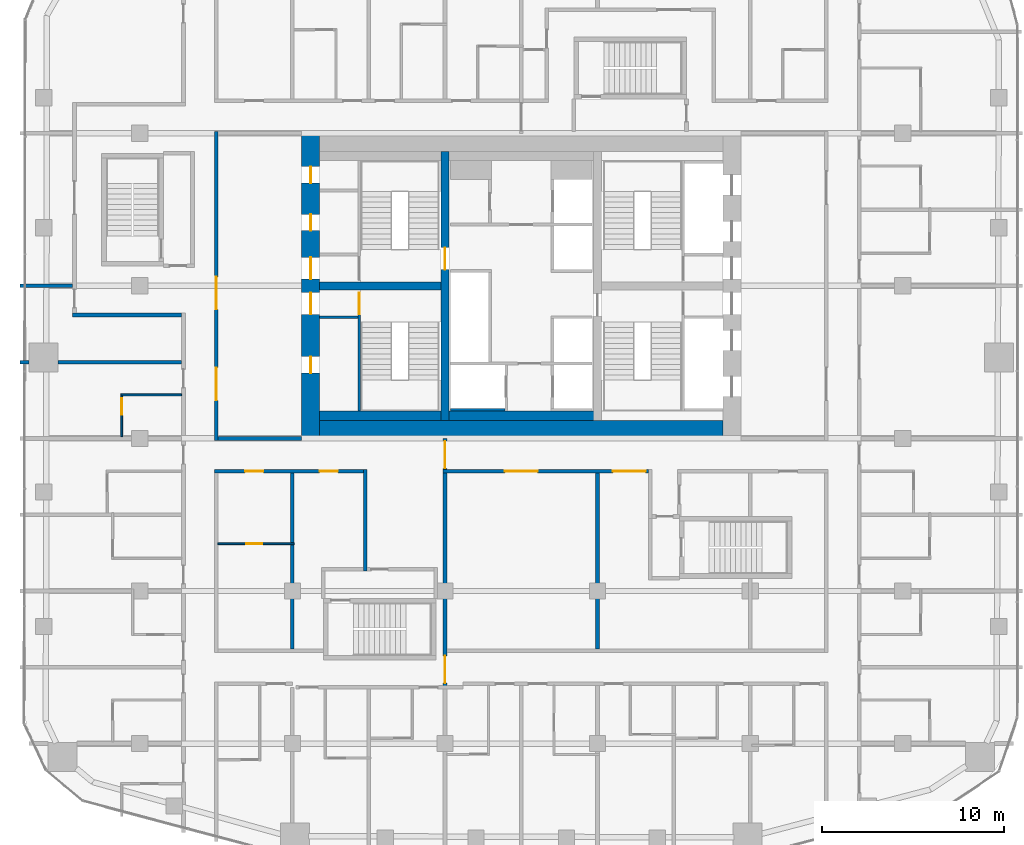
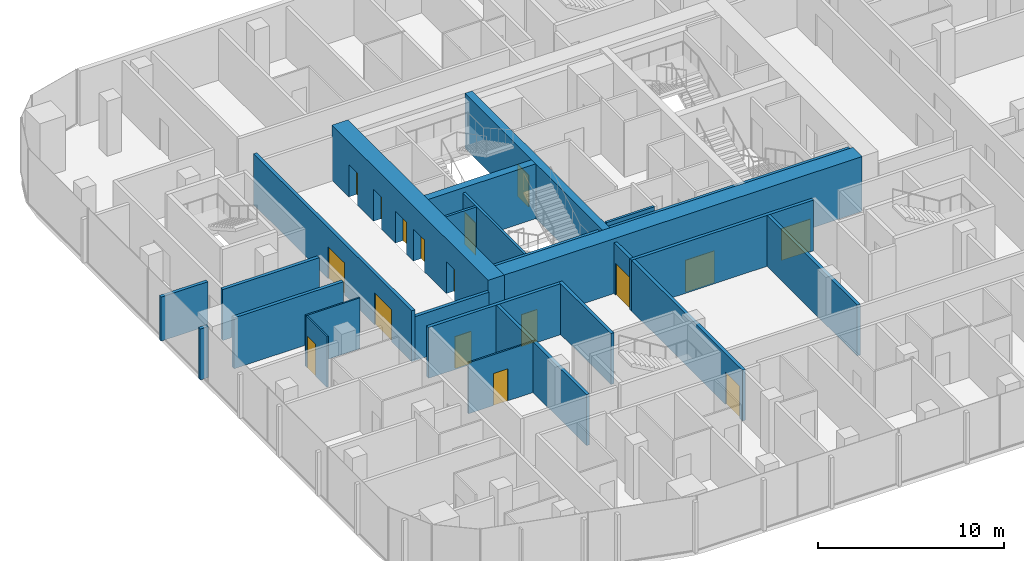
# One storey, part 15 of 23: 23 walls, 17 doors, 17 openings.
"""IFC4 building model written with IfcOpenShell, lengths in metres."""

from ifc_helpers import new_model, si_unit, direction, frame, frame_2d, origin, place, context, subcontext, project, spatial, rectangle, extrude, material, layer, layer_set, type_object, element, fill, save


model = new_model("IFC4")

# Units and contexts
model_context = context("Model", 3, precision=1e-05, world=origin(), true_north=direction((0.0, 1.0)))
body_context = subcontext(model_context, "Body", "Model", "MODEL_VIEW")
ifc_project = project(units=[si_unit("LENGTHUNIT", "METRE"), si_unit("AREAUNIT", "SQUARE_METRE"), si_unit("VOLUMEUNIT", "CUBIC_METRE"), si_unit("PLANEANGLEUNIT", "RADIAN"), si_unit("MASSUNIT", "GRAM", prefix="KILO")], contexts=[model_context])

# Site, building, storey
site_placement = place(None, origin())
site = spatial("IfcSite", under=ifc_project, at=site_placement, CompositionType="ELEMENT")
building_placement = place(site_placement, origin())
building = spatial("IfcBuilding", under=site, at=building_placement, Name="Marenta Gate Hotel Tower", CompositionType="ELEMENT")
storey_placement = place(building_placement, frame((0.0, 0.0, 104.89990234375)))
storey = spatial("IfcBuildingStorey", under=building, at=storey_placement, Name="L22", CompositionType="ELEMENT", Elevation=104.89990234375)

# Wall, openings, doors
ifc_material_1 = material(Name="Concrete blockwork", Category="masonry")
ifc_layer_1 = layer(ifc_material_1, 0.199951171875)
ifc_layer_set_1 = layer_set([ifc_layer_1], Name="Concrete blockwork")
wall_type_1 = type_object("IfcWallType", Name="Compartment wall 200 REI 180", PredefinedType="PARTITIONING", material=ifc_layer_set_1)
wall_1_placement = place(storey_placement, frame((-4.199951171875, -13.800048828125, 0.0), z_axis=(0.0, 0.0, 1.0), x_axis=(0.0, 1.0, 0.0)))
wall_1 = element("IfcWall", 1, at=wall_1_placement, inside=storey, type_object=wall_type_1, Name="L22-PTN-W080", PredefinedType="PARTITIONING", context=body_context, shape_type="SweptSolid", body=[
    extrude(rectangle(XDim=13.800048828125, YDim=0.199951171875, at=frame_2d((6.89990234375, 0.0))), origin(), (0.0, 0.0, 1.0), 3.340087890625),
])
opening_1_placement = place(wall_1_placement, frame((12.14990234375, 0.0, 0.0)))
opening_1 = element("IfcOpeningElement", 2, at=opening_1_placement, cuts=wall_1, Name="Opening G08-FD2", PredefinedType="OPENING", context=body_context, shape_type="SweptSolid", body=[
    extrude(rectangle(XDim=1.5, YDim=2.10009765625, at=frame_2d((0.75, 1.050048828125))), frame((0.0, 0.10009765625, 0.0), z_axis=(0.0, -1.0, 0.0), x_axis=(1.0, 0.0, 0.0)), (0.0, 0.0, 1.0), 0.199951171875),
])
opening_2_placement = place(wall_1_placement, frame((0.324951171875, 0.0, 0.0)))
opening_2 = element("IfcOpeningElement", 3, at=opening_2_placement, cuts=wall_1, Name="Opening G08-FD3", PredefinedType="OPENING", context=body_context, shape_type="SweptSolid", body=[
    extrude(rectangle(XDim=1.5, YDim=2.10009765625, at=frame_2d((0.75, 1.050048828125))), frame((0.0, 0.10009765625, 0.0), z_axis=(0.0, -1.0, 0.0), x_axis=(1.0, 0.0, 0.0)), (0.0, 0.0, 1.0), 0.199951171875),
])
ifc_material_2 = material(Name="Hollow steel door set", Category="steel")
door_type_1 = type_object("IfcDoorType", Name="Compartment fire door 1500x2100 EI 60", OperationType="DOUBLE_DOOR_DOUBLE_SWING", PredefinedType="DOOR", material=ifc_material_2)
door_1_placement = place(opening_1_placement, origin())
door_1 = element("IfcDoor", 4, at=door_1_placement, inside=storey, type_object=door_type_1, Name="L22-PD-FD02", OperationType="DOUBLE_DOOR_DOUBLE_SWING", OverallHeight=2.10009765625, OverallWidth=1.5, PredefinedType="DOOR", context=body_context, shape_type="SweptSolid", body=[
    extrude(rectangle(XDim=1.5, YDim=2.10009765625, at=frame_2d((0.75, 1.050048828125))), frame((0.0, 0.02490234375, 0.0), z_axis=(0.0, -1.0, 0.0), x_axis=(1.0, 0.0, 0.0)), (0.0, 0.0, 1.0), 0.050048828125),
])
fill(opening_1, door_1)
door_2_placement = place(opening_2_placement, origin())
door_2 = element("IfcDoor", 5, at=door_2_placement, inside=storey, type_object=door_type_1, Name="L22-PD-FD03", OperationType="DOUBLE_DOOR_DOUBLE_SWING", OverallHeight=2.10009765625, OverallWidth=1.5, PredefinedType="DOOR", context=body_context, shape_type="SweptSolid", body=[
    extrude(rectangle(XDim=1.5, YDim=2.10009765625, at=frame_2d((0.75, 1.050048828125))), frame((0.0, 0.02490234375, 0.0), z_axis=(0.0, -1.0, 0.0), x_axis=(1.0, 0.0, 0.0)), (0.0, 0.0, 1.0), 0.050048828125),
])
fill(opening_2, door_2)

ifc_material_3 = material(Name="Concrete blockwork", Category="masonry")
ifc_layer_2 = layer(ifc_material_3, 0.199951171875)
ifc_layer_set_2 = layer_set([ifc_layer_2], Name="Concrete blockwork")
wall_type_2 = type_object("IfcWallType", Name="Core boundary wall 200 REI 180", PredefinedType="PARTITIONING", material=ifc_layer_set_2)
wall_2_placement = place(storey_placement, frame((-16.800048828125, -0.10009765625, 0.0), z_axis=(0.0, 0.0, 1.0), x_axis=(0.0, 1.0, 0.0)))
wall_2 = element("IfcWall", 6, at=wall_2_placement, inside=storey, type_object=wall_type_2, Name="L22-CP-BW-W", PredefinedType="PARTITIONING", context=body_context, shape_type="SweptSolid", body=[
    extrude(rectangle(XDim=17.0, YDim=0.199951171875, at=frame_2d((8.5, 0.0))), origin(), (0.0, 0.0, 1.0), 3.340087890625),
])
opening_3_placement = place(wall_2_placement, frame((2.199951171875, 0.0, 0.0)))
opening_3 = element("IfcOpeningElement", 7, at=opening_3_placement, cuts=wall_2, Name="Opening ED-Wa-B", PredefinedType="OPENING", context=body_context, shape_type="SweptSolid", body=[
    extrude(rectangle(XDim=1.800048828125, YDim=2.10009765625, at=frame_2d((0.89990234375, 1.050048828125))), frame((0.0, 0.10009765625, 0.0), z_axis=(0.0, -1.0, 0.0), x_axis=(1.0, 0.0, 0.0)), (0.0, 0.0, 1.0), 0.199951171875),
])
opening_4_placement = place(wall_2_placement, frame((7.199951171875, 0.0, 0.0)))
opening_4 = element("IfcOpeningElement", 8, at=opening_4_placement, cuts=wall_2, Name="Opening ED-Wb-B", PredefinedType="OPENING", context=body_context, shape_type="SweptSolid", body=[
    extrude(rectangle(XDim=1.800048828125, YDim=2.10009765625, at=frame_2d((0.89990234375, 1.050048828125))), frame((0.0, 0.10009765625, 0.0), z_axis=(0.0, -1.0, 0.0), x_axis=(1.0, 0.0, 0.0)), (0.0, 0.0, 1.0), 0.199951171875),
])
ifc_material_4 = material(Name="Steel", Category="steel")
door_type_2 = type_object("IfcDoorType", Name="Core lobby entrance door 1800x2100 EI 60", OperationType="DOUBLE_DOOR_SINGLE_SWING", PredefinedType="DOOR", material=ifc_material_4)
door_3_placement = place(opening_3_placement, origin())
door_3 = element("IfcDoor", 9, at=door_3_placement, inside=storey, type_object=door_type_2, Name="ED-Wa-B", OperationType="DOUBLE_DOOR_SINGLE_SWING", OverallHeight=2.10009765625, OverallWidth=1.800048828125, PredefinedType="DOOR", context=body_context, shape_type="SweptSolid", body=[
    extrude(rectangle(XDim=1.800048828125, YDim=2.10009765625, at=frame_2d((0.89990234375, 1.050048828125))), frame((0.0, 0.02490234375, 0.0), z_axis=(0.0, -1.0, 0.0), x_axis=(1.0, 0.0, 0.0)), (0.0, 0.0, 1.0), 0.050048828125),
])
fill(opening_3, door_3)
door_4_placement = place(opening_4_placement, origin())
door_4 = element("IfcDoor", 10, at=door_4_placement, inside=storey, type_object=door_type_2, Name="ED-Wb-B", OperationType="DOUBLE_DOOR_SINGLE_SWING", OverallHeight=2.10009765625, OverallWidth=1.800048828125, PredefinedType="DOOR", context=body_context, shape_type="SweptSolid", body=[
    extrude(rectangle(XDim=1.800048828125, YDim=2.10009765625, at=frame_2d((0.89990234375, 1.050048828125))), frame((0.0, 0.02490234375, 0.0), z_axis=(0.0, -1.0, 0.0), x_axis=(1.0, 0.0, 0.0)), (0.0, 0.0, 1.0), 0.050048828125),
])
fill(opening_4, door_4)

# Walls
wall_3_placement = place(storey_placement, frame((-16.699951171875, 0.0, 0.0), z_axis=(0.0, 0.0, 1.0), x_axis=(1.0, 0.0, 0.0)))
element("IfcWall", 11, at=wall_3_placement, inside=storey, type_object=wall_type_2, Name="L22-CP-EW-WS", PredefinedType="PARTITIONING", context=body_context, shape_type="SweptSolid", body=[
    extrude(rectangle(XDim=4.599853515625, YDim=0.199951171875, at=frame_2d((2.2998046875, 0.0))), origin(), (0.0, 0.0, 1.0), 2.89013671875),
])
ifc_material_5 = material(Name="Concrete C40", Category="concrete")
ifc_layer_3 = layer(ifc_material_5, 0.5)
ifc_layer_set_3 = layer_set([ifc_layer_3], Name="Concrete C40")
wall_type_3 = type_object("IfcWallType", Name="Core lining wall 500 REI 180", PredefinedType="PARTITIONING", material=ifc_layer_set_3)
wall_4_placement = place(storey_placement, frame((-11.10009765625, 1.25, 0.0), z_axis=(0.0, 0.0, 1.0), x_axis=(1.0, 0.0, 0.0)))
element("IfcWall", 12, at=wall_4_placement, inside=storey, type_object=wall_type_3, Name="L22-CP-LN-S", PredefinedType="PARTITIONING", context=body_context, shape_type="SweptSolid", body=[
    extrude(rectangle(XDim=22.2001953125, YDim=0.5, at=frame_2d((11.10009765625, 0.0))), origin(), (0.0, 0.0, 1.0), 3.340087890625),
])
ifc_material_6 = material(Name="Concrete blockwork", Category="masonry")
ifc_layer_4 = layer(ifc_material_6, 0.14990234375)
ifc_layer_set_4 = layer_set([ifc_layer_4], Name="Concrete blockwork")
wall_type_4 = type_object("IfcWallType", Name="Core room partition 150 REI 180", PredefinedType="PARTITIONING", material=ifc_layer_set_4)
wall_5_placement = place(storey_placement, frame((-11.10009765625, 6.675048828125, 0.0), z_axis=(0.0, 0.0, 1.0), x_axis=(1.0, 0.0, 0.0)))
element("IfcWall", 13, at=wall_5_placement, inside=storey, type_object=wall_type_4, Name="L22-CP-SW-WS-2", PredefinedType="PARTITIONING", context=body_context, shape_type="SweptSolid", body=[
    extrude(rectangle(XDim=2.10009765625, YDim=0.14990234375, at=frame_2d((1.050048828125, 0.0))), origin(), (0.0, 0.0, 1.0), 3.340087890625),
])
ifc_material_7 = material(Name="Concrete C40", Category="concrete")
ifc_layer_5 = layer(ifc_material_7, 0.14990234375)
ifc_layer_set_5 = layer_set([ifc_layer_5], Name="Concrete C40")
wall_type_5 = type_object("IfcWallType", Name="Core shaft wall 150 REI 180", PredefinedType="SHEAR", material=ifc_layer_set_5)
wall_6_placement = place(storey_placement, frame((-3.89990234375, 1.574951171875, 0.0), z_axis=(0.0, 0.0, 1.0), x_axis=(1.0, 0.0, 0.0)))
element("IfcWall", 14, at=wall_6_placement, inside=storey, type_object=wall_type_5, Name="L22-SHF-CW-W-ffs", PredefinedType="SHEAR", context=body_context, shape_type="SweptSolid", body=[
    extrude(rectangle(XDim=3.0, YDim=0.14990234375, at=frame_2d((1.5, 0.0))), origin(), (0.0, 0.0, 1.0), 3.60009765625),
])

# Wall, opening, door
ifc_material_8 = material(Name="Concrete C40", Category="concrete")
ifc_layer_6 = layer(ifc_material_8, 0.14990234375)
ifc_layer_set_6 = layer_set([ifc_layer_6], Name="Concrete C40")
wall_type_6 = type_object("IfcWallType", Name="Core stair enclosure wall 150 REI 180", PredefinedType="SHEAR", material=ifc_layer_set_6)
wall_7_placement = place(storey_placement, frame((-8.925048828125, 1.5, 0.0), z_axis=(0.0, 0.0, 1.0), x_axis=(0.0, 1.0, 0.0)))
wall_7 = element("IfcWall", 15, at=wall_7_placement, inside=storey, type_object=wall_type_6, Name="L22-SHF-SW-WS-3", PredefinedType="SHEAR", context=body_context, shape_type="SweptSolid", body=[
    extrude(rectangle(XDim=6.60009765625, YDim=0.14990234375, at=frame_2d((3.300048828125, 0.0))), origin(), (0.0, 0.0, 1.0), 3.340087890625),
])
opening_5_placement = place(wall_7_placement, frame((5.324951171875, 0.0, 0.0)))
opening_5 = element("IfcOpeningElement", 16, at=opening_5_placement, cuts=wall_7, Name="Opening SD-WS", PredefinedType="OPENING", context=body_context, shape_type="SweptSolid", body=[
    extrude(rectangle(XDim=1.199951171875, YDim=2.10009765625, at=frame_2d((0.60009765625, 1.050048828125))), frame((0.0, 0.074951171875, 0.0), z_axis=(0.0, -1.0, 0.0), x_axis=(1.0, 0.0, 0.0)), (0.0, 0.0, 1.0), 0.14990234375),
])
ifc_material_9 = material(Name="Steel", Category="steel")
door_type_3 = type_object("IfcDoorType", Name="Core stair door 1200x2100 FD60", OperationType="SINGLE_SWING_LEFT", PredefinedType="DOOR", material=ifc_material_9)
door_5_placement = place(opening_5_placement, origin())
door_5 = element("IfcDoor", 17, at=door_5_placement, inside=storey, type_object=door_type_3, Name="SD-WS", OperationType="SINGLE_SWING_LEFT", OverallHeight=2.10009765625, OverallWidth=1.199951171875, PredefinedType="DOOR", context=body_context, shape_type="SweptSolid", body=[
    extrude(rectangle(XDim=1.199951171875, YDim=2.10009765625, at=frame_2d((0.60009765625, 1.050048828125))), frame((0.0, 0.02490234375, 0.0), z_axis=(0.0, -1.0, 0.0), x_axis=(1.0, 0.0, 0.0)), (0.0, 0.0, 1.0), 0.050048828125),
])
fill(opening_5, door_5)

# Wall, openings, doors
ifc_material_10 = material(Name="Concrete C70", Category="concrete")
ifc_layer_7 = layer(ifc_material_10, 1.0)
ifc_layer_set_7 = layer_set([ifc_layer_7], Name="Concrete C70")
wall_type_7 = type_object("IfcWallType", Name="Core wall 1000 C70", PredefinedType="SHEAR", material=ifc_layer_set_7)
wall_8_placement = place(storey_placement, frame((-11.60009765625, 0.0, 0.0), z_axis=(0.0, 0.0, 1.0), x_axis=(0.0, 1.0, 0.0)))
wall_8 = element("IfcWall", 18, at=wall_8_placement, inside=storey, type_object=wall_type_7, Name="L22-CORE-W", PredefinedType="SHEAR", context=body_context, shape_type="SweptSolid", body=[
    extrude(rectangle(XDim=16.800048828125, YDim=1.0, at=frame_2d((8.39990234375, 0.0))), origin(), (0.0, 0.0, 1.0), 3.60009765625),
])
opening_6_placement = place(wall_8_placement, frame((3.60009765625, 0.0, 0.0)))
opening_6 = element("IfcOpeningElement", 19, at=opening_6_placement, cuts=wall_8, Name="Opening RD-WS-1", PredefinedType="OPENING", context=body_context, shape_type="SweptSolid", body=[
    extrude(rectangle(XDim=0.89990234375, YDim=2.10009765625, at=frame_2d((0.449951171875, 1.050048828125))), frame((0.0, 0.5, 0.0), z_axis=(0.0, -1.0, 0.0), x_axis=(1.0, 0.0, 0.0)), (0.0, 0.0, 1.0), 1.0),
])
opening_7_placement = place(wall_8_placement, frame((6.824951171875, 0.0, 0.0)))
opening_7 = element("IfcOpeningElement", 20, at=opening_7_placement, cuts=wall_8, Name="Opening PD-WS", PredefinedType="OPENING", context=body_context, shape_type="SweptSolid", body=[
    extrude(rectangle(XDim=1.199951171875, YDim=2.10009765625, at=frame_2d((0.60009765625, 1.050048828125))), frame((0.0, 0.5, 0.0), z_axis=(0.0, -1.0, 0.0), x_axis=(1.0, 0.0, 0.0)), (0.0, 0.0, 1.0), 1.0),
])
opening_8_placement = place(wall_8_placement, frame((14.0625, 0.0, 0.0)))
opening_8 = element("IfcOpeningElement", 21, at=opening_8_placement, cuts=wall_8, Name="Opening RD-WN-1", PredefinedType="OPENING", context=body_context, shape_type="SweptSolid", body=[
    extrude(rectangle(XDim=0.89990234375, YDim=2.10009765625, at=frame_2d((0.449951171875, 1.050048828125))), frame((0.0, 0.5, 0.0), z_axis=(0.0, -1.0, 0.0), x_axis=(1.0, 0.0, 0.0)), (0.0, 0.0, 1.0), 1.0),
])
opening_9_placement = place(wall_8_placement, frame((11.4375, 0.0, 0.0)))
opening_9 = element("IfcOpeningElement", 22, at=opening_9_placement, cuts=wall_8, Name="Opening RD-WN-2", PredefinedType="OPENING", context=body_context, shape_type="SweptSolid", body=[
    extrude(rectangle(XDim=0.89990234375, YDim=2.10009765625, at=frame_2d((0.449951171875, 1.050048828125))), frame((0.0, 0.5, 0.0), z_axis=(0.0, -1.0, 0.0), x_axis=(1.0, 0.0, 0.0)), (0.0, 0.0, 1.0), 1.0),
])
opening_10_placement = place(wall_8_placement, frame((8.77490234375, 0.0, 0.0)))
opening_10 = element("IfcOpeningElement", 23, at=opening_10_placement, cuts=wall_8, Name="Opening PD-WN", PredefinedType="OPENING", context=body_context, shape_type="SweptSolid", body=[
    extrude(rectangle(XDim=1.199951171875, YDim=2.10009765625, at=frame_2d((0.60009765625, 1.050048828125))), frame((0.0, 0.5, 0.0), z_axis=(0.0, -1.0, 0.0), x_axis=(1.0, 0.0, 0.0)), (0.0, 0.0, 1.0), 1.0),
])
ifc_material_11 = material(Name="Steel", Category="steel")
door_type_4 = type_object("IfcDoorType", Name="Core lobby door 1200x2100 FD60", OperationType="SINGLE_SWING_LEFT", PredefinedType="DOOR", material=ifc_material_11)
door_6_placement = place(opening_7_placement, origin())
door_6 = element("IfcDoor", 24, at=door_6_placement, inside=storey, type_object=door_type_4, Name="PD-WS", OperationType="SINGLE_SWING_LEFT", OverallHeight=2.10009765625, OverallWidth=1.199951171875, PredefinedType="DOOR", context=body_context, shape_type="SweptSolid", body=[
    extrude(rectangle(XDim=1.199951171875, YDim=2.10009765625, at=frame_2d((0.60009765625, 1.050048828125))), frame((0.0, 0.02490234375, 0.0), z_axis=(0.0, -1.0, 0.0), x_axis=(1.0, 0.0, 0.0)), (0.0, 0.0, 1.0), 0.050048828125),
])
fill(opening_7, door_6)
door_7_placement = place(opening_10_placement, origin())
door_7 = element("IfcDoor", 25, at=door_7_placement, inside=storey, type_object=door_type_4, Name="PD-WN", OperationType="SINGLE_SWING_LEFT", OverallHeight=2.10009765625, OverallWidth=1.199951171875, PredefinedType="DOOR", context=body_context, shape_type="SweptSolid", body=[
    extrude(rectangle(XDim=1.199951171875, YDim=2.10009765625, at=frame_2d((0.60009765625, 1.050048828125))), frame((0.0, 0.02490234375, 0.0), z_axis=(0.0, -1.0, 0.0), x_axis=(1.0, 0.0, 0.0)), (0.0, 0.0, 1.0), 0.050048828125),
])
fill(opening_10, door_7)
ifc_material_12 = material(Name="Steel", Category="steel")
door_type_5 = type_object("IfcDoorType", Name="Core service room door 900x2100 FD30S", OperationType="SINGLE_SWING_LEFT", PredefinedType="DOOR", material=ifc_material_12)
door_8_placement = place(opening_6_placement, origin())
door_8 = element("IfcDoor", 26, at=door_8_placement, inside=storey, type_object=door_type_5, Name="RD-WS-1", OperationType="SINGLE_SWING_LEFT", OverallHeight=2.10009765625, OverallWidth=0.89990234375, PredefinedType="DOOR", context=body_context, shape_type="SweptSolid", body=[
    extrude(rectangle(XDim=0.89990234375, YDim=2.10009765625, at=frame_2d((0.449951171875, 1.050048828125))), frame((0.0, 0.02490234375, 0.0), z_axis=(0.0, -1.0, 0.0), x_axis=(1.0, 0.0, 0.0)), (0.0, 0.0, 1.0), 0.050048828125),
])
fill(opening_6, door_8)
door_9_placement = place(opening_8_placement, origin())
door_9 = element("IfcDoor", 27, at=door_9_placement, inside=storey, type_object=door_type_5, Name="RD-WN-1", OperationType="SINGLE_SWING_LEFT", OverallHeight=2.10009765625, OverallWidth=0.89990234375, PredefinedType="DOOR", context=body_context, shape_type="SweptSolid", body=[
    extrude(rectangle(XDim=0.89990234375, YDim=2.10009765625, at=frame_2d((0.449951171875, 1.050048828125))), frame((0.0, 0.02490234375, 0.0), z_axis=(0.0, -1.0, 0.0), x_axis=(1.0, 0.0, 0.0)), (0.0, 0.0, 1.0), 0.050048828125),
])
fill(opening_8, door_9)
door_10_placement = place(opening_9_placement, origin())
door_10 = element("IfcDoor", 28, at=door_10_placement, inside=storey, type_object=door_type_5, Name="RD-WN-2", OperationType="SINGLE_SWING_LEFT", OverallHeight=2.10009765625, OverallWidth=0.89990234375, PredefinedType="DOOR", context=body_context, shape_type="SweptSolid", body=[
    extrude(rectangle(XDim=0.89990234375, YDim=2.10009765625, at=frame_2d((0.449951171875, 1.050048828125))), frame((0.0, 0.02490234375, 0.0), z_axis=(0.0, -1.0, 0.0), x_axis=(1.0, 0.0, 0.0)), (0.0, 0.0, 1.0), 0.050048828125),
])
fill(opening_9, door_10)

# Wall
wall_9_placement = place(storey_placement, frame((-11.10009765625, 0.5, 0.0), z_axis=(0.0, 0.0, 1.0), x_axis=(1.0, 0.0, 0.0)))
element("IfcWall", 29, at=wall_9_placement, inside=storey, type_object=wall_type_7, Name="L22-CORE-S", PredefinedType="SHEAR", context=body_context, shape_type="SweptSolid", body=[
    extrude(rectangle(XDim=22.2001953125, YDim=1.0, at=frame_2d((11.10009765625, 0.0))), origin(), (0.0, 0.0, 1.0), 3.60009765625),
])

# Wall, opening, door
ifc_material_13 = material(Name="Concrete C70", Category="concrete")
ifc_layer_8 = layer(ifc_material_13, 0.449951171875)
ifc_layer_set_8 = layer_set([ifc_layer_8], Name="Concrete C70")
wall_type_8 = type_object("IfcWallType", Name="Core web 450 C70", PredefinedType="SHEAR", material=ifc_layer_set_8)
wall_10_placement = place(storey_placement, frame((-4.199951171875, 1.0, 0.0), z_axis=(0.0, 0.0, 1.0), x_axis=(0.0, 1.0, 0.0)))
wall_10 = element("IfcWall", 30, at=wall_10_placement, inside=storey, type_object=wall_type_8, Name="L22-CORE-W1", PredefinedType="SHEAR", context=body_context, shape_type="SweptSolid", body=[
    extrude(rectangle(XDim=14.800048828125, YDim=0.449951171875, at=frame_2d((7.39990234375, 0.0))), origin(), (0.0, 0.0, 1.0), 3.60009765625),
])
opening_11_placement = place(wall_10_placement, frame((8.300048828125, 0.0, 0.0)))
opening_11 = element("IfcOpeningElement", 31, at=opening_11_placement, cuts=wall_10, Name="Opening WD-W", PredefinedType="OPENING", context=body_context, shape_type="SweptSolid", body=[
    extrude(rectangle(XDim=1.199951171875, YDim=2.10009765625, at=frame_2d((0.60009765625, 1.050048828125))), frame((0.0, 0.22509765625, 0.0), z_axis=(0.0, -1.0, 0.0), x_axis=(1.0, 0.0, 0.0)), (0.0, 0.0, 1.0), 0.449951171875),
])
door_11_placement = place(opening_11_placement, origin())
door_11 = element("IfcDoor", 32, at=door_11_placement, inside=storey, type_object=door_type_3, Name="WD-W", OperationType="SINGLE_SWING_LEFT", OverallHeight=2.10009765625, OverallWidth=1.199951171875, PredefinedType="DOOR", context=body_context, shape_type="SweptSolid", body=[
    extrude(rectangle(XDim=1.199951171875, YDim=2.10009765625, at=frame_2d((0.60009765625, 1.050048828125))), frame((0.0, 0.02490234375, 0.0), z_axis=(0.0, -1.0, 0.0), x_axis=(1.0, 0.0, 0.0)), (0.0, 0.0, 1.0), 0.050048828125),
])
fill(opening_11, door_11)

# Wall
wall_11_placement = place(storey_placement, frame((-11.10009765625, 8.39990234375, 0.0), z_axis=(0.0, 0.0, 1.0), x_axis=(1.0, 0.0, 0.0)))
element("IfcWall", 33, at=wall_11_placement, inside=storey, type_object=wall_type_8, Name="L22-CORE-W3", PredefinedType="SHEAR", context=body_context, shape_type="SweptSolid", body=[
    extrude(rectangle(XDim=6.675048828125, YDim=0.449951171875, at=frame_2d((3.33740234375, 0.0))), origin(), (0.0, 0.0, 1.0), 3.60009765625),
])

# Wall, openings, doors
ifc_material_14 = material(Name="Concrete blockwork", Category="masonry")
ifc_layer_9 = layer(ifc_material_14, 0.199951171875)
ifc_layer_set_9 = layer_set([ifc_layer_9], Name="Concrete blockwork")
wall_type_9 = type_object("IfcWallType", Name="Room corridor wall 200 EI 120", PredefinedType="PARTITIONING", material=ifc_layer_set_9)
wall_12_placement = place(storey_placement, frame((-16.89990234375, -1.800048828125, 0.0), z_axis=(0.0, 0.0, 1.0), x_axis=(1.0, 0.0, 0.0)))
wall_12 = element("IfcWall", 34, at=wall_12_placement, inside=storey, type_object=wall_type_9, Name="L22-PTN-W067", PredefinedType="PARTITIONING", context=body_context, shape_type="SweptSolid", body=[
    extrude(rectangle(XDim=8.199951171875, YDim=0.199951171875, at=frame_2d((4.10009765625, 0.0))), origin(), (0.0, 0.0, 1.0), 3.340087890625),
])
opening_12_placement = place(wall_12_placement, frame((1.699951171875, 0.0, 0.0)))
opening_12 = element("IfcOpeningElement", 35, at=opening_12_placement, cuts=wall_12, Name="Opening G08-01", PredefinedType="OPENING", context=body_context, shape_type="SweptSolid", body=[
    extrude(rectangle(XDim=1.0, YDim=2.10009765625, at=frame_2d((0.5, 1.050048828125))), frame((0.0, 0.10009765625, 0.0), z_axis=(0.0, -1.0, 0.0), x_axis=(1.0, 0.0, 0.0)), (0.0, 0.0, 1.0), 0.199951171875),
])
opening_13_placement = place(wall_12_placement, frame((5.800048828125, 0.0, 0.0)))
opening_13 = element("IfcOpeningElement", 36, at=opening_13_placement, cuts=wall_12, Name="Opening G08-03", PredefinedType="OPENING", context=body_context, shape_type="SweptSolid", body=[
    extrude(rectangle(XDim=1.0, YDim=2.10009765625, at=frame_2d((0.5, 1.050048828125))), frame((0.0, 0.10009765625, 0.0), z_axis=(0.0, -1.0, 0.0), x_axis=(1.0, 0.0, 0.0)), (0.0, 0.0, 1.0), 0.199951171875),
])
ifc_material_15 = material(Name="Hollow steel door set", Category="steel")
door_type_6 = type_object("IfcDoorType", Name="Room service door 1000x2100 EI 60", OperationType="NOTDEFINED", PredefinedType="DOOR", material=ifc_material_15)
door_12_placement = place(opening_12_placement, origin())
door_12 = element("IfcDoor", 37, at=door_12_placement, inside=storey, type_object=door_type_6, Name="L22-PD-D001", OperationType="SINGLE_SWING_LEFT", OverallHeight=2.10009765625, OverallWidth=1.0, PredefinedType="DOOR", context=body_context, shape_type="SweptSolid", body=[
    extrude(rectangle(XDim=1.0, YDim=2.10009765625, at=frame_2d((0.5, 1.050048828125))), frame((0.0, 0.02490234375, 0.0), z_axis=(0.0, -1.0, 0.0), x_axis=(1.0, 0.0, 0.0)), (0.0, 0.0, 1.0), 0.050048828125),
])
fill(opening_12, door_12)
door_13_placement = place(opening_13_placement, origin())
door_13 = element("IfcDoor", 38, at=door_13_placement, inside=storey, type_object=door_type_6, Name="L22-PD-D003", OperationType="SINGLE_SWING_LEFT", OverallHeight=2.10009765625, OverallWidth=1.0, PredefinedType="DOOR", context=body_context, shape_type="SweptSolid", body=[
    extrude(rectangle(XDim=1.0, YDim=2.10009765625, at=frame_2d((0.5, 1.050048828125))), frame((0.0, 0.02490234375, 0.0), z_axis=(0.0, -1.0, 0.0), x_axis=(1.0, 0.0, 0.0)), (0.0, 0.0, 1.0), 0.050048828125),
])
fill(opening_13, door_13)

# Wall
wall_13_placement = place(storey_placement, frame((-8.60009765625, -7.300048828125, 0.0), z_axis=(0.0, 0.0, 1.0), x_axis=(0.0, 1.0, 0.0)))
element("IfcWall", 39, at=wall_13_placement, inside=storey, type_object=wall_type_9, Name="L22-PTN-W090", PredefinedType="PARTITIONING", context=body_context, shape_type="SweptSolid", body=[
    extrude(rectangle(XDim=5.60009765625, YDim=0.199951171875, at=frame_2d((2.800048828125, 0.0))), origin(), (0.0, 0.0, 1.0), 3.340087890625),
])

# Wall, openings, doors
ifc_material_16 = material(Name="Gypsum board on steel stud", Category="steel")
ifc_layer_10 = layer(ifc_material_16, 0.199951171875)
ifc_layer_set_10 = layer_set([ifc_layer_10], Name="Gypsum board on steel stud")
wall_type_10 = type_object("IfcWallType", Name="Room corridor wall 200 EI 60", PredefinedType="PARTITIONING", material=ifc_layer_set_10)
wall_14_placement = place(storey_placement, frame((-4.300048828125, -1.800048828125, 0.0), z_axis=(0.0, 0.0, 1.0), x_axis=(1.0, 0.0, 0.0)))
wall_14 = element("IfcWall", 40, at=wall_14_placement, inside=storey, type_object=wall_type_10, Name="L22-PTN-W068", PredefinedType="PARTITIONING", context=body_context, shape_type="SweptSolid", body=[
    extrude(rectangle(XDim=11.300048828125, YDim=0.199951171875, at=frame_2d((5.64990234375, 0.0))), origin(), (0.0, 0.0, 1.0), 3.340087890625),
])
opening_14_placement = place(wall_14_placement, frame((3.39990234375, 0.0, 0.0)))
opening_14 = element("IfcOpeningElement", 41, at=opening_14_placement, cuts=wall_14, Name="Opening G08-04", PredefinedType="OPENING", context=body_context, shape_type="SweptSolid", body=[
    extrude(rectangle(XDim=1.800048828125, YDim=2.10009765625, at=frame_2d((0.89990234375, 1.050048828125))), frame((0.0, 0.10009765625, 0.0), z_axis=(0.0, -1.0, 0.0), x_axis=(1.0, 0.0, 0.0)), (0.0, 0.0, 1.0), 0.199951171875),
])
opening_15_placement = place(wall_14_placement, frame((9.35009765625, 0.0, 0.0)))
opening_15 = element("IfcOpeningElement", 42, at=opening_15_placement, cuts=wall_14, Name="Opening G08-05", PredefinedType="OPENING", context=body_context, shape_type="SweptSolid", body=[
    extrude(rectangle(XDim=1.800048828125, YDim=2.10009765625, at=frame_2d((0.89990234375, 1.050048828125))), frame((0.0, 0.10009765625, 0.0), z_axis=(0.0, -1.0, 0.0), x_axis=(1.0, 0.0, 0.0)), (0.0, 0.0, 1.0), 0.199951171875),
])
ifc_material_17 = material(Name="Timber door leaf", Category="wood")
door_type_7 = type_object("IfcDoorType", Name="Room amenity door 1800x2100 EI 30", OperationType="DOUBLE_DOOR_SINGLE_SWING", PredefinedType="DOOR", material=ifc_material_17)
door_14_placement = place(opening_14_placement, origin())
door_14 = element("IfcDoor", 43, at=door_14_placement, inside=storey, type_object=door_type_7, Name="L22-PD-D004", OperationType="DOUBLE_DOOR_SINGLE_SWING", OverallHeight=2.10009765625, OverallWidth=1.800048828125, PredefinedType="DOOR", context=body_context, shape_type="SweptSolid", body=[
    extrude(rectangle(XDim=1.800048828125, YDim=2.10009765625, at=frame_2d((0.89990234375, 1.050048828125))), frame((0.0, 0.02490234375, 0.0), z_axis=(0.0, -1.0, 0.0), x_axis=(1.0, 0.0, 0.0)), (0.0, 0.0, 1.0), 0.050048828125),
])
fill(opening_14, door_14)
door_15_placement = place(opening_15_placement, origin())
door_15 = element("IfcDoor", 44, at=door_15_placement, inside=storey, type_object=door_type_7, Name="L22-PD-D005", OperationType="DOUBLE_DOOR_SINGLE_SWING", OverallHeight=2.10009765625, OverallWidth=1.800048828125, PredefinedType="DOOR", context=body_context, shape_type="SweptSolid", body=[
    extrude(rectangle(XDim=1.800048828125, YDim=2.10009765625, at=frame_2d((0.89990234375, 1.050048828125))), frame((0.0, 0.02490234375, 0.0), z_axis=(0.0, -1.0, 0.0), x_axis=(1.0, 0.0, 0.0)), (0.0, 0.0, 1.0), 0.050048828125),
])
fill(opening_15, door_15)

# Wall
wall_15_placement = place(storey_placement, frame((-24.699951171875, 6.800048828125, 0.0), z_axis=(0.0, 0.0, 1.0), x_axis=(1.0, 0.0, 0.0)))
element("IfcWall", 45, at=wall_15_placement, inside=storey, type_object=wall_type_10, Name="L22-PTN-W085", PredefinedType="PARTITIONING", context=body_context, shape_type="SweptSolid", body=[
    extrude(rectangle(XDim=6.0, YDim=0.199951171875, at=frame_2d((3.0, 0.0))), origin(), (0.0, 0.0, 1.0), 3.340087890625),
])

# Wall, opening, door
ifc_material_18 = material(Name="Gypsum board on steel stud", Category="steel")
ifc_layer_11 = layer(ifc_material_18, 0.10009765625)
ifc_layer_set_11 = layer_set([ifc_layer_11], Name="Gypsum board on steel stud")
wall_type_11 = type_object("IfcWallType", Name="Room partition 100", PredefinedType="PARTITIONING", material=ifc_layer_set_11)
wall_16_placement = place(storey_placement, frame((-16.699951171875, -5.800048828125, 0.0), z_axis=(0.0, 0.0, 1.0), x_axis=(1.0, 0.0, 0.0)))
wall_16 = element("IfcWall", 46, at=wall_16_placement, inside=storey, type_object=wall_type_11, Name="L22-PTN-W056", PredefinedType="PARTITIONING", context=body_context, shape_type="SweptSolid", body=[
    extrude(rectangle(XDim=4.199951171875, YDim=0.10009765625, at=frame_2d((2.10009765625, 0.0))), origin(), (0.0, 0.0, 1.0), 3.340087890625),
])
opening_16_placement = place(wall_16_placement, frame((1.550048828125, 0.0, 0.0)))
opening_16 = element("IfcOpeningElement", 47, at=opening_16_placement, cuts=wall_16, Name="Opening G08-02", PredefinedType="OPENING", context=body_context, shape_type="SweptSolid", body=[
    extrude(rectangle(XDim=0.89990234375, YDim=2.10009765625, at=frame_2d((0.449951171875, 1.050048828125))), frame((0.0, 0.050048828125, 0.0), z_axis=(0.0, -1.0, 0.0), x_axis=(1.0, 0.0, 0.0)), (0.0, 0.0, 1.0), 0.10009765625),
])
ifc_material_19 = material(Name="Timber door leaf", Category="wood")
door_type_8 = type_object("IfcDoorType", Name="Room inner door 900x2100", OperationType="NOTDEFINED", PredefinedType="DOOR", material=ifc_material_19)
door_16_placement = place(opening_16_placement, origin())
door_16 = element("IfcDoor", 48, at=door_16_placement, inside=storey, type_object=door_type_8, Name="L22-PD-D002", OperationType="SINGLE_SWING_RIGHT", OverallHeight=2.10009765625, OverallWidth=0.89990234375, PredefinedType="DOOR", context=body_context, shape_type="SweptSolid", body=[
    extrude(rectangle(XDim=0.89990234375, YDim=2.10009765625, at=frame_2d((0.449951171875, 1.050048828125))), frame((0.0, 0.02490234375, 0.0), z_axis=(0.0, -1.0, 0.0), x_axis=(1.0, 0.0, 0.0)), (0.0, 0.0, 1.0), 0.050048828125),
])
fill(opening_16, door_16)

# Wall
wall_17_placement = place(storey_placement, frame((-22.050048828125, 2.39990234375, 0.0), z_axis=(0.0, 0.0, 1.0), x_axis=(1.0, 0.0, 0.0)))
element("IfcWall", 49, at=wall_17_placement, inside=storey, type_object=wall_type_11, Name="L22-PTN-W077", PredefinedType="PARTITIONING", context=body_context, shape_type="SweptSolid", body=[
    extrude(rectangle(XDim=3.35009765625, YDim=0.10009765625, at=frame_2d((1.675048828125, 0.0))), origin(), (0.0, 0.0, 1.0), 3.340087890625),
])

# Wall, opening, door
wall_18_placement = place(storey_placement, frame((-22.0, 0.10009765625, 0.0), z_axis=(0.0, 0.0, 1.0), x_axis=(0.0, 1.0, 0.0)))
wall_18 = element("IfcWall", 50, at=wall_18_placement, inside=storey, type_object=wall_type_11, Name="L22-PTN-W120", PredefinedType="PARTITIONING", context=body_context, shape_type="SweptSolid", body=[
    extrude(rectangle(XDim=2.25, YDim=0.10009765625, at=frame_2d((1.125, 0.0))), origin(), (0.0, 0.0, 1.0), 3.340087890625),
])
opening_17_placement = place(wall_18_placement, frame((1.199951171875, 0.0, 0.0)))
opening_17 = element("IfcOpeningElement", 51, at=opening_17_placement, cuts=wall_18, Name="Opening G08-64", PredefinedType="OPENING", context=body_context, shape_type="SweptSolid", body=[
    extrude(rectangle(XDim=0.89990234375, YDim=2.10009765625, at=frame_2d((0.449951171875, 1.050048828125))), frame((0.0, 0.050048828125, 0.0), z_axis=(0.0, -1.0, 0.0), x_axis=(1.0, 0.0, 0.0)), (0.0, 0.0, 1.0), 0.10009765625),
])
ifc_material_20 = material(Name="Timber door leaf", Category="wood")
door_type_9 = type_object("IfcDoorType", Name="Guest bathroom door 900x2100", OperationType="NOTDEFINED", PredefinedType="DOOR", material=ifc_material_20)
door_17_placement = place(opening_17_placement, origin())
door_17 = element("IfcDoor", 52, at=door_17_placement, inside=storey, type_object=door_type_9, Name="L22-PD-D064", OperationType="SINGLE_SWING_LEFT", OverallHeight=2.10009765625, OverallWidth=0.89990234375, PredefinedType="DOOR", context=body_context, shape_type="SweptSolid", body=[
    extrude(rectangle(XDim=0.89990234375, YDim=2.10009765625, at=frame_2d((0.449951171875, 1.050048828125))), frame((0.0, 0.02490234375, 0.0), z_axis=(0.0, -1.0, 0.0), x_axis=(1.0, 0.0, 0.0)), (0.0, 0.0, 1.0), 0.050048828125),
])
fill(opening_17, door_17)

# Walls
ifc_material_21 = material(Name="Concrete blockwork", Category="masonry")
ifc_layer_12 = layer(ifc_material_21, 0.199951171875)
ifc_layer_set_12 = layer_set([ifc_layer_12], Name="Concrete blockwork")
wall_type_12 = type_object("IfcWallType", Name="Room party wall 200 EI 120", PredefinedType="PARTITIONING", material=ifc_layer_set_12)
wall_19_placement = place(storey_placement, frame((-12.60009765625, -11.60009765625, 0.0), z_axis=(0.0, 0.0, 1.0), x_axis=(0.0, 1.0, 0.0)))
element("IfcWall", 53, at=wall_19_placement, inside=storey, type_object=wall_type_12, Name="L22-PTN-W097", PredefinedType="PARTITIONING", context=body_context, shape_type="SweptSolid", body=[
    extrude(rectangle(XDim=9.7001953125, YDim=0.199951171875, at=frame_2d((4.85009765625, 0.0))), origin(), (0.0, 0.0, 1.0), 3.340087890625),
])
ifc_material_22 = material(Name="Gypsum board on steel stud", Category="steel")
ifc_layer_13 = layer(ifc_material_22, 0.199951171875)
ifc_layer_set_13 = layer_set([ifc_layer_13], Name="Gypsum board on steel stud")
wall_type_13 = type_object("IfcWallType", Name="Room party wall 200 EI 60", PredefinedType="PARTITIONING", material=ifc_layer_set_13)
wall_20_placement = place(storey_placement, frame((4.199951171875, -11.60009765625, 0.0), z_axis=(0.0, 0.0, 1.0), x_axis=(0.0, 1.0, 0.0)))
element("IfcWall", 54, at=wall_20_placement, inside=storey, type_object=wall_type_13, Name="L22-PTN-W059", PredefinedType="PARTITIONING", context=body_context, shape_type="SweptSolid", body=[
    extrude(rectangle(XDim=9.7001953125, YDim=0.199951171875, at=frame_2d((4.85009765625, 0.0))), origin(), (0.0, 0.0, 1.0), 3.340087890625),
])
wall_21_placement = place(storey_placement, frame((-27.60009765625, 4.199951171875, 0.0), z_axis=(0.0, 0.0, 1.0), x_axis=(1.0, 0.0, 0.0)))
element("IfcWall", 55, at=wall_21_placement, inside=storey, type_object=wall_type_13, Name="L22-PTN-W081", PredefinedType="PARTITIONING", context=body_context, shape_type="SweptSolid", body=[
    extrude(rectangle(XDim=0.5, YDim=0.199951171875, at=frame_2d((0.25, 0.0))), origin(), (0.0, 0.0, 1.0), 3.340087890625),
])
wall_22_placement = place(storey_placement, frame((-25.5, 4.199951171875, 0.0), z_axis=(0.0, 0.0, 1.0), x_axis=(1.0, 0.0, 0.0)))
element("IfcWall", 56, at=wall_22_placement, inside=storey, type_object=wall_type_13, Name="L22-PTN-W133", PredefinedType="PARTITIONING", context=body_context, shape_type="SweptSolid", body=[
    extrude(rectangle(XDim=6.800048828125, YDim=0.199951171875, at=frame_2d((3.39990234375, 0.0))), origin(), (0.0, 0.0, 1.0), 3.340087890625),
])
wall_23_placement = place(storey_placement, frame((-27.60009765625, 8.39990234375, 0.0), z_axis=(0.0, 0.0, 1.0), x_axis=(1.0, 0.0, 0.0)))
element("IfcWall", 57, at=wall_23_placement, inside=storey, type_object=wall_type_13, Name="L22-PTN-W088", PredefinedType="PARTITIONING", context=body_context, shape_type="SweptSolid", body=[
    extrude(rectangle(XDim=2.900146484375, YDim=0.199951171875, at=frame_2d((1.4501953125, 0.0))), origin(), (0.0, 0.0, 1.0), 2.89013671875),
])

save(model, "model.ifc")
